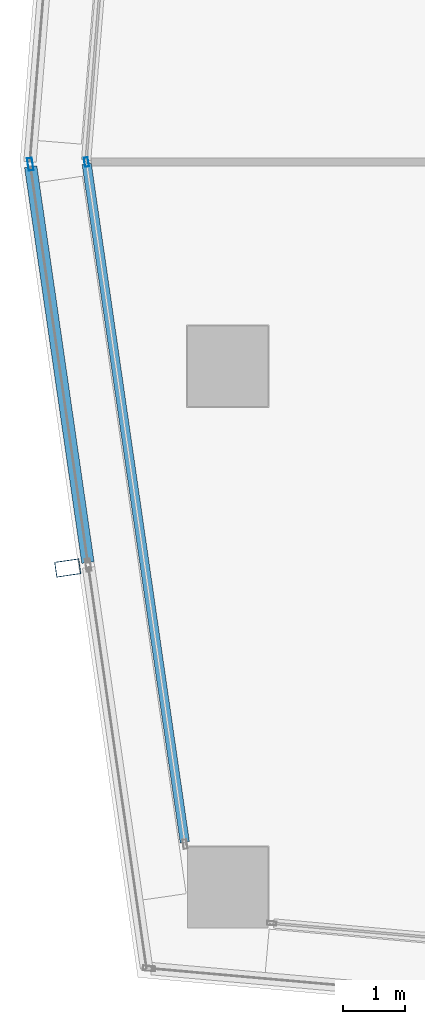
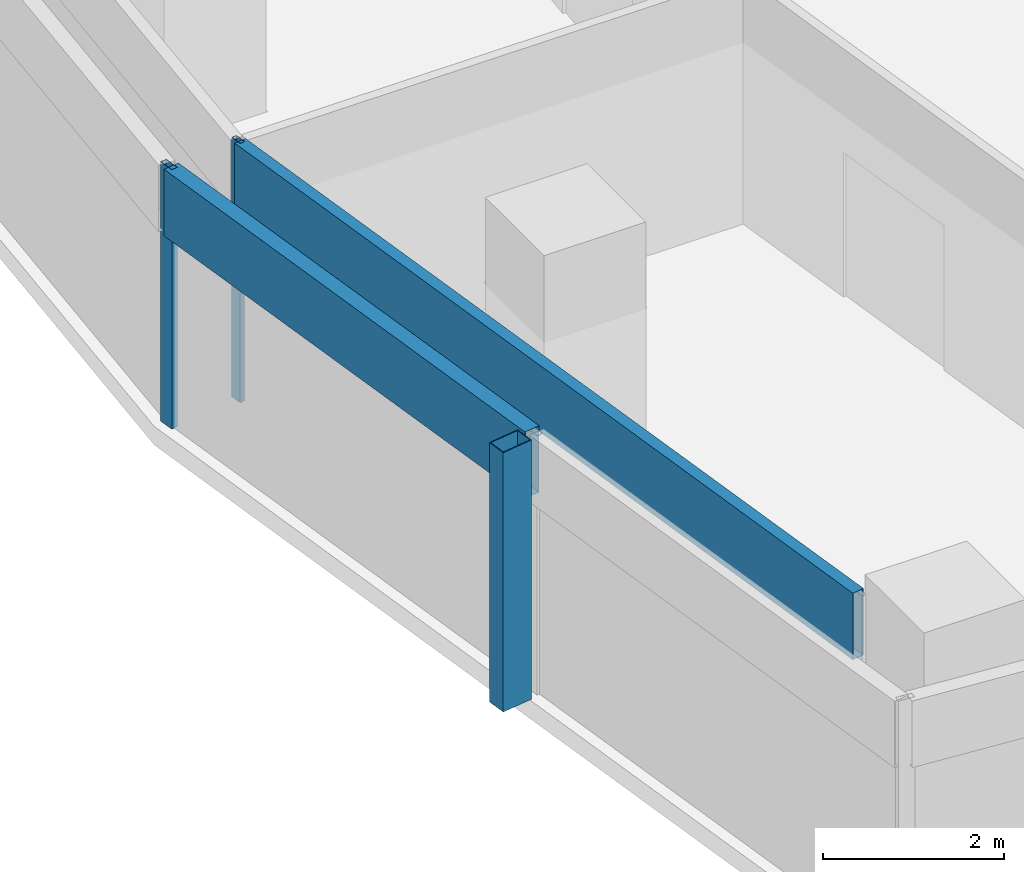
# One storey, part 4 of 26: 5 members, 2 elements without a shape of their own.
"""IFC4 building model written with IfcOpenShell, lengths in metres."""

from ifc_helpers import new_model, si_unit, direction, frame, origin, origin_2d, place, context, subcontext, project, spatial, hollow_rectangle, extrude, material, material_profile, profile_set, type_object, element, aggregate, save


model = new_model("IFC4")

# Units and contexts
model_context = context("Model", 3, precision=1e-05, world=origin(), true_north=direction((0.0, 1.0)))
body_context = subcontext(model_context, "Body", "Model", "MODEL_VIEW")
ifc_project = project(units=[si_unit("LENGTHUNIT", "METRE"), si_unit("AREAUNIT", "SQUARE_METRE"), si_unit("VOLUMEUNIT", "CUBIC_METRE"), si_unit("PLANEANGLEUNIT", "RADIAN"), si_unit("MASSUNIT", "GRAM", prefix="KILO")], contexts=[model_context])

# Site, building, storey
site_placement = place(None, origin())
site = spatial("IfcSite", under=ifc_project, at=site_placement, CompositionType="ELEMENT")
building_placement = place(site_placement, origin())
building = spatial("IfcBuilding", under=site, at=building_placement, Name="Rekha Terrace Tower", CompositionType="ELEMENT")
storey_placement = place(building_placement, frame((0.0, 0.0, 283.85009765625)))
storey = spatial("IfcBuildingStorey", under=building, at=storey_placement, Name="L72", CompositionType="ELEMENT", Elevation=283.85009765625)

# Curtain wall, member
ifc_material_1 = material(Name="Aluminium framing", Category="aluminium")
curtain_wall_type_1 = type_object("IfcCurtainWallType", Name="CW2 double skin outer glazing", PredefinedType="USERDEFINED", material=ifc_material_1)
curtain_wall_1_placement = place(storey_placement, origin())
curtain_wall_1 = element("IfcCurtainWall", 1, at=curtain_wall_1_placement, inside=storey, type_object=curtain_wall_type_1, Name="CW2 double skin outer glazing", ObjectType="DOUBLE SKIN OUTER GLAZING", PredefinedType="USERDEFINED")
ifc_material_2 = material(Name="Steel S355 with fluorocarbon finish", Category="steel")
ifc_material_profile_1 = material_profile(ifc_material_2, hollow_rectangle(XDim=0.25, YDim=0.39990234375, WallThickness=0.012451171875, at=origin_2d()), Name="RHS400x250x12.5")
ifc_profile_set_1 = profile_set([ifc_material_profile_1], Name="Steel S355 with fluorocarbon finish")
member_type_1 = type_object("IfcMemberType", Name="BL1 facade blade RHS 400 x 250", PredefinedType="USERDEFINED", material=ifc_profile_set_1)
member_1_placement = place(storey_placement, frame((5.819091796875, 21.94873046875, 0.0), z_axis=(0.0, 0.0, 1.0), x_axis=(0.143109157841, -0.989706910627, 0.0)))
member_1 = element("IfcMember", 2, at=member_1_placement, type_object=member_type_1, Name="Facade blade", ObjectType="FACADE BLADE", PredefinedType="USERDEFINED", context=body_context, shape_type="SweptSolid", body=[
    extrude(hollow_rectangle(XDim=0.25, YDim=0.39990234375, WallThickness=0.012451171875, at=origin_2d()), origin(), (0.0, 0.0, 1.0), 3.5),
])

# Curtain wall, members
curtain_wall_type_2 = type_object("IfcCurtainWallType", Name="CW1 double skin inner glazing", PredefinedType="USERDEFINED", material=ifc_material_1)
curtain_wall_2_placement = place(storey_placement, origin())
curtain_wall_2 = element("IfcCurtainWall", 3, at=curtain_wall_2_placement, inside=storey, type_object=curtain_wall_type_2, Name="CW1 double skin inner glazing", ObjectType="DOUBLE SKIN INNER GLAZING", PredefinedType="USERDEFINED")
ifc_material_3 = material(Name="Aluminium mullion section", Category="aluminium")
ifc_material_profile_2 = material_profile(ifc_material_3, hollow_rectangle(XDim=0.06494140625, YDim=0.14990234375, WallThickness=0.00390625, at=origin_2d()), Name="AL RHS 65x150")
ifc_profile_set_2 = profile_set([ifc_material_profile_2], Name="Aluminium mullion section")
member_type_2 = type_object("IfcMemberType", Name="CW1 mullion RHS 65 x 150", PredefinedType="MULLION", material=ifc_profile_set_2)
member_2_placement = place(storey_placement, frame((6.120849609375, 28.4912109375, 0.0), z_axis=(0.0, 0.0, 1.0), x_axis=(0.989707031394, 0.143108322643, 0.0)))
member_2 = element("IfcMember", 4, at=member_2_placement, type_object=member_type_2, Name="CW1 mullion 1", PredefinedType="MULLION", context=body_context, shape_type="SweptSolid", body=[
    extrude(hollow_rectangle(XDim=0.06494140625, YDim=0.14990234375, WallThickness=0.00390625, at=origin_2d()), origin(), (0.0, 0.0, 1.0), 3.5),
])
ifc_material_4 = material(Name="Insulated aluminium spandrel box", Category="aluminium")
ifc_material_profile_3 = material_profile(ifc_material_4, hollow_rectangle(XDim=0.14990234375, YDim=0.89990234375, WallThickness=0.0029296875, at=origin_2d()), Name="AL SPANDREL BOX 150x900")
ifc_profile_set_3 = profile_set([ifc_material_profile_3], Name="Insulated aluminium spandrel box")
member_type_3 = type_object("IfcMemberType", Name="CW1 spandrel transom 150 x 900", PredefinedType="USERDEFINED", material=ifc_profile_set_3)
member_3_placement = place(storey_placement, frame((6.12548828125, 28.458984375, 3.0498046875), z_axis=(0.143104894735, -0.989707527052, 0.0), x_axis=(0.989707527052, 0.143104894735, 0.0)))
member_3 = element("IfcMember", 5, at=member_3_placement, type_object=member_type_3, Name="CW1 spandrel transom 1", ObjectType="TRANSOM", PredefinedType="USERDEFINED", context=body_context, shape_type="SweptSolid", body=[
    extrude(hollow_rectangle(XDim=0.14990234375, YDim=0.89990234375, WallThickness=0.0029296875, at=origin_2d()), origin(), (0.0, 0.0, 1.0), 11.043212890625),
])
aggregate(curtain_wall_2, [member_2, member_3])

# Member
ifc_material_profile_4 = material_profile(ifc_material_3, hollow_rectangle(XDim=0.080078125, YDim=0.199951171875, WallThickness=0.00390625, at=origin_2d()), Name="AL RHS 80x200")
ifc_profile_set_4 = profile_set([ifc_material_profile_4], Name="Aluminium mullion section")
member_type_4 = type_object("IfcMemberType", Name="CW2 mullion RHS 80 x 200", PredefinedType="MULLION", material=ifc_profile_set_4)
member_4_placement = place(storey_placement, frame((5.216552734375, 28.455322265625, 0.0), z_axis=(0.0, 0.0, 1.0), x_axis=(0.989707031389, 0.143108322678, 0.0)))
member_4 = element("IfcMember", 6, at=member_4_placement, type_object=member_type_4, Name="CW2 mullion 1", PredefinedType="MULLION", context=body_context, shape_type="SweptSolid", body=[
    extrude(hollow_rectangle(XDim=0.080078125, YDim=0.199951171875, WallThickness=0.00390625, at=origin_2d()), origin(), (0.0, 0.0, 1.0), 3.5),
])

ifc_material_profile_5 = material_profile(ifc_material_4, hollow_rectangle(XDim=0.199951171875, YDim=0.89990234375, WallThickness=0.0029296875, at=origin_2d()), Name="AL SPANDREL BOX 200x900")
ifc_profile_set_5 = profile_set([ifc_material_profile_5], Name="Insulated aluminium spandrel box")
member_type_5 = type_object("IfcMemberType", Name="CW2 spandrel transom 200 x 900", PredefinedType="USERDEFINED", material=ifc_profile_set_5)
member_5_placement = place(storey_placement, frame((5.222412109375, 28.415771484375, 3.0498046875), z_axis=(0.143091438807, -0.989709472593, 0.0), x_axis=(0.989709472593, 0.143091438807, 0.0)))
member_5 = element("IfcMember", 7, at=member_5_placement, type_object=member_type_5, Name="CW2 spandrel transom 1", ObjectType="TRANSOM", PredefinedType="USERDEFINED", context=body_context, shape_type="SweptSolid", body=[
    extrude(hollow_rectangle(XDim=0.199951171875, YDim=0.89990234375, WallThickness=0.0029296875, at=origin_2d()), origin(), (0.0, 0.0, 1.0), 6.446044921875),
])

aggregate(curtain_wall_1, [member_4, member_5, member_1])

save(model, "model.ifc")
